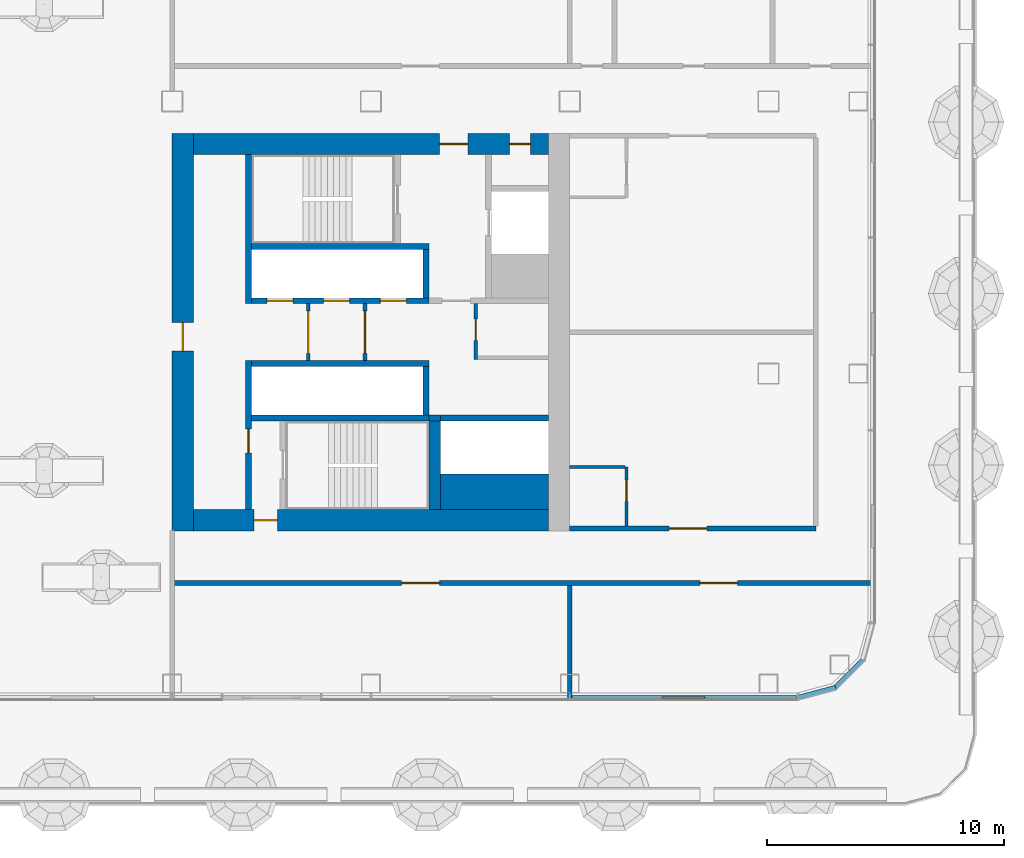
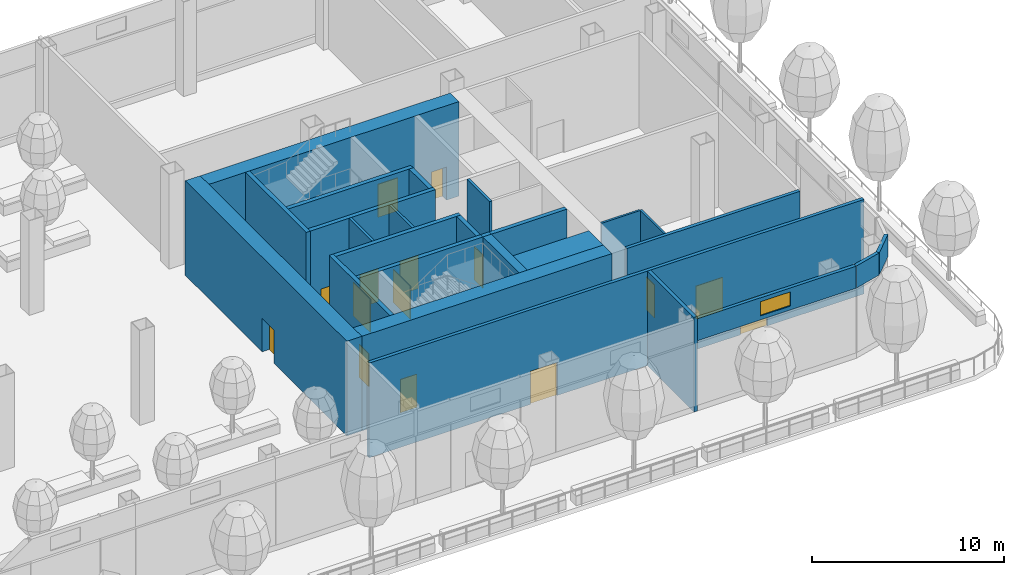
# One storey, part 15 of 44: 26 walls, 15 doors, 1 window, 16 openings, 2 elements without a shape of their own.
"""IFC4 building model written with IfcOpenShell, lengths in metres."""

from ifc_helpers import new_model, si_unit, direction, frame, frame_2d, origin, place, context, subcontext, project, spatial, rectangle, extrude, material, layer, layer_set, type_object, element, fill, aggregate, save


model = new_model("IFC4")

# Units and contexts
model_context = context("Model", 3, precision=1e-05, world=origin(), true_north=direction((0.0, 1.0)))
body_context = subcontext(model_context, "Body", "Model", "MODEL_VIEW")
ifc_project = project(units=[si_unit("LENGTHUNIT", "METRE"), si_unit("AREAUNIT", "SQUARE_METRE"), si_unit("VOLUMEUNIT", "CUBIC_METRE"), si_unit("PLANEANGLEUNIT", "RADIAN"), si_unit("MASSUNIT", "GRAM", prefix="KILO")], contexts=[model_context])

# Site, building, storey
site_placement = place(None, origin())
site = spatial("IfcSite", under=ifc_project, at=site_placement, CompositionType="ELEMENT")
building_placement = place(site_placement, origin())
building = spatial("IfcBuilding", under=site, at=building_placement, Name="Hakoniwa Tower and Hamabe Station Hall", CompositionType="ELEMENT")
storey_placement = place(building_placement, frame((0.0, 0.0, 69.0)))
storey = spatial("IfcBuildingStorey", under=building, at=storey_placement, Name="L19", CompositionType="ELEMENT", Elevation=69.0)

# Wall, opening, door
ifc_material_1 = material(Name="Gypsum board partition")
ifc_layer_1 = layer(ifc_material_1, 0.14990234375)
ifc_layer_set_1 = layer_set([ifc_layer_1], Name="CORE PARTITION 150 EI 60")
wall_type_1 = type_object("IfcWallType", Name="CORE PARTITION 150 EI 60", PredefinedType="PARTITIONING", material=ifc_layer_set_1)
wall_1_placement = place(storey_placement, frame((22.550048828125, -1.199951171875, 0.0), z_axis=(0.0, 0.0, 1.0), x_axis=(0.0, 1.0, 0.0)))
wall_1 = element("IfcWall", 1, at=wall_1_placement, inside=storey, type_object=wall_type_1, Name="Core partition PL0 east", PredefinedType="PARTITIONING", context=body_context, shape_type="SweptSolid", body=[
    extrude(rectangle(XDim=2.39990234375, YDim=0.14990234375, at=frame_2d((1.199951171875, 0.0))), origin(), (0.0, 0.0, 1.0), 6.0),
])
opening_1_placement = place(wall_1_placement, frame((0.300048828125, 0.0, 0.0)))
opening_1 = element("IfcOpeningElement", 2, at=opening_1_placement, cuts=wall_1, Name="Opening CD-E-LP0-18", PredefinedType="OPENING", context=body_context, shape_type="SweptSolid", body=[
    extrude(rectangle(XDim=1.800048828125, YDim=2.10009765625, at=frame_2d((0.89990234375, 1.050048828125))), frame((0.0, 0.0849609375, 0.0), z_axis=(0.0, -1.0, 0.0), x_axis=(1.0, 0.0, 0.0)), (0.0, 0.0, 1.0), 0.169921875),
])
ifc_material_2 = material(Name="Steel fire door", Category="steel")
door_type_1 = type_object("IfcDoorType", Name="CORE DOOR 1800 FD60", OperationType="DOUBLE_DOOR_SINGLE_SWING", PredefinedType="DOOR", material=ifc_material_2)
door_1_placement = place(opening_1_placement, origin())
door_1 = element("IfcDoor", 3, at=door_1_placement, inside=storey, type_object=door_type_1, Name="Lift lobby partition door", OperationType="DOUBLE_DOOR_SINGLE_SWING", OverallHeight=2.10009765625, OverallWidth=1.800048828125, PredefinedType="DOOR", context=body_context, shape_type="SweptSolid", body=[
    extrude(rectangle(XDim=1.800048828125, YDim=2.10009765625, at=frame_2d((0.89990234375, 1.050048828125))), frame((0.0, 0.02490234375, 0.0), z_axis=(0.0, -1.0, 0.0), x_axis=(1.0, 0.0, 0.0)), (0.0, 0.0, 1.0), 0.050048828125),
])
fill(opening_1, door_1)

wall_2_placement = place(storey_placement, frame((24.949951171875, -1.199951171875, 0.0), z_axis=(0.0, 0.0, 1.0), x_axis=(0.0, 1.0, 0.0)))
wall_2 = element("IfcWall", 4, at=wall_2_placement, inside=storey, type_object=wall_type_1, Name="Core partition PL1 east", PredefinedType="PARTITIONING", context=body_context, shape_type="SweptSolid", body=[
    extrude(rectangle(XDim=2.39990234375, YDim=0.14990234375, at=frame_2d((1.199951171875, 0.0))), origin(), (0.0, 0.0, 1.0), 6.0),
])
opening_2_placement = place(wall_2_placement, frame((0.300048828125, 0.0, 0.0)))
opening_2 = element("IfcOpeningElement", 5, at=opening_2_placement, cuts=wall_2, Name="Opening CD-E-LP1-18", PredefinedType="OPENING", context=body_context, shape_type="SweptSolid", body=[
    extrude(rectangle(XDim=1.800048828125, YDim=2.10009765625, at=frame_2d((0.89990234375, 1.050048828125))), frame((0.0, 0.0849609375, 0.0), z_axis=(0.0, -1.0, 0.0), x_axis=(1.0, 0.0, 0.0)), (0.0, 0.0, 1.0), 0.169921875),
])
door_2_placement = place(opening_2_placement, origin())
door_2 = element("IfcDoor", 6, at=door_2_placement, inside=storey, type_object=door_type_1, Name="Lift lobby partition door", OperationType="DOUBLE_DOOR_SINGLE_SWING", OverallHeight=2.10009765625, OverallWidth=1.800048828125, PredefinedType="DOOR", context=body_context, shape_type="SweptSolid", body=[
    extrude(rectangle(XDim=1.800048828125, YDim=2.10009765625, at=frame_2d((0.89990234375, 1.050048828125))), frame((0.0, 0.02490234375, 0.0), z_axis=(0.0, -1.0, 0.0), x_axis=(1.0, 0.0, 0.0)), (0.0, 0.0, 1.0), 0.050048828125),
])
fill(opening_2, door_2)

wall_3_placement = place(storey_placement, frame((29.625, -1.14990234375, 0.0), z_axis=(0.0, 0.0, 1.0), x_axis=(0.0, 1.0, 0.0)))
wall_3 = element("IfcWall", 7, at=wall_3_placement, inside=storey, type_object=wall_type_1, Name="Core partition PW0 east", PredefinedType="PARTITIONING", context=body_context, shape_type="SweptSolid", body=[
    extrude(rectangle(XDim=2.349853515625, YDim=0.14990234375, at=frame_2d((1.1748046875, 0.0))), origin(), (0.0, 0.0, 1.0), 6.0),
])
opening_3_placement = place(wall_3_placement, frame((0.800048828125, 0.0, 0.0)))
opening_3 = element("IfcOpeningElement", 8, at=opening_3_placement, cuts=wall_3, Name="Opening CD-E-RM1-9", PredefinedType="OPENING", context=body_context, shape_type="SweptSolid", body=[
    extrude(rectangle(XDim=0.89990234375, YDim=2.10009765625, at=frame_2d((0.449951171875, 1.050048828125))), frame((0.0, 0.0849609375, 0.0), z_axis=(0.0, -1.0, 0.0), x_axis=(1.0, 0.0, 0.0)), (0.0, 0.0, 1.0), 0.169921875),
])
ifc_material_3 = material(Name="Steel fire door", Category="steel")
door_type_2 = type_object("IfcDoorType", Name="CORE DOOR 900 FD30", OperationType="NOTDEFINED", PredefinedType="DOOR", material=ifc_material_3)
door_3_placement = place(opening_3_placement, origin())
door_3 = element("IfcDoor", 9, at=door_3_placement, inside=storey, type_object=door_type_2, Name="Store room door", OperationType="SINGLE_SWING_RIGHT", OverallHeight=2.10009765625, OverallWidth=0.89990234375, PredefinedType="DOOR", context=body_context, shape_type="SweptSolid", body=[
    extrude(rectangle(XDim=0.89990234375, YDim=2.10009765625, at=frame_2d((0.449951171875, 1.050048828125))), frame((0.0, 0.02490234375, 0.0), z_axis=(0.0, -1.0, 0.0), x_axis=(1.0, 0.0, 0.0)), (0.0, 0.0, 1.0), 0.050048828125),
])
fill(opening_3, door_3)

ifc_material_4 = material(Name="Concrete C72", Category="concrete")
ifc_layer_2 = layer(ifc_material_4, 0.89990234375)
ifc_layer_set_2 = layer_set([ifc_layer_2], Name="CORE WALL 900 C72")
wall_type_2 = type_object("IfcWallType", Name="CORE WALL 900 C72", PredefinedType="SHEAR", material=ifc_layer_set_2)
wall_4_placement = place(storey_placement, frame((17.25, -8.39990234375, 0.0), z_axis=(0.0, 0.0, 1.0), x_axis=(0.0, 1.0, 0.0)))
wall_4 = element("IfcWall", 10, at=wall_4_placement, inside=storey, type_object=wall_type_2, Name="Core wall INNER east", PredefinedType="SHEAR", context=body_context, shape_type="SweptSolid", body=[
    extrude(rectangle(XDim=16.7998046875, YDim=0.89990234375, at=frame_2d((8.39990234375, 0.0))), origin(), (0.0, 0.0, 1.0), 6.0),
])
opening_4_placement = place(wall_4_placement, frame((7.60009765625, 0.0, 0.0)))
opening_4 = element("IfcOpeningElement", 11, at=opening_4_placement, cuts=wall_4, Name="Opening CD-E-IN1-12", PredefinedType="OPENING", context=body_context, shape_type="SweptSolid", body=[
    extrude(rectangle(XDim=1.199951171875, YDim=2.10009765625, at=frame_2d((0.60009765625, 1.050048828125))), frame((0.0, 0.4599609375, 0.0), z_axis=(0.0, -1.0, 0.0), x_axis=(1.0, 0.0, 0.0)), (0.0, 0.0, 1.0), 0.919921875),
])
ifc_material_5 = material(Name="Steel fire door", Category="steel")
door_type_3 = type_object("IfcDoorType", Name="CORE DOOR 1200 FD60", OperationType="DOUBLE_DOOR_SINGLE_SWING", PredefinedType="DOOR", material=ifc_material_5)
door_4_placement = place(opening_4_placement, origin())
door_4 = element("IfcDoor", 12, at=door_4_placement, inside=storey, type_object=door_type_3, Name="Lift lobby door", OperationType="DOUBLE_DOOR_SINGLE_SWING", OverallHeight=2.10009765625, OverallWidth=1.199951171875, PredefinedType="DOOR", context=body_context, shape_type="SweptSolid", body=[
    extrude(rectangle(XDim=1.199951171875, YDim=2.10009765625, at=frame_2d((0.60009765625, 1.050048828125))), frame((0.0, 0.02490234375, 0.0), z_axis=(0.0, -1.0, 0.0), x_axis=(1.0, 0.0, 0.0)), (0.0, 0.0, 1.0), 0.050048828125),
])
fill(opening_4, door_4)

# Wall, openings, doors
wall_5_placement = place(storey_placement, frame((17.699951171875, 7.949951171875, 0.0), z_axis=(0.0, 0.0, 1.0), x_axis=(1.0, 0.0, 0.0)))
wall_5 = element("IfcWall", 13, at=wall_5_placement, inside=storey, type_object=wall_type_2, Name="Core wall NORTH east", PredefinedType="SHEAR", context=body_context, shape_type="SweptSolid", body=[
    extrude(rectangle(XDim=15.0, YDim=0.89990234375, at=frame_2d((7.5, 0.0))), origin(), (0.0, 0.0, 1.0), 6.0),
])
opening_5_placement = place(wall_5_placement, frame((10.39990234375, 0.0, 0.0)))
opening_5 = element("IfcOpeningElement", 14, at=opening_5_placement, cuts=wall_5, Name="Opening CD-E-FN1-12", PredefinedType="OPENING", context=body_context, shape_type="SweptSolid", body=[
    extrude(rectangle(XDim=1.199951171875, YDim=2.10009765625, at=frame_2d((0.60009765625, 1.050048828125))), frame((0.0, 0.4599609375, 0.0), z_axis=(0.0, -1.0, 0.0), x_axis=(1.0, 0.0, 0.0)), (0.0, 0.0, 1.0), 0.919921875),
])
opening_6_placement = place(wall_5_placement, frame((13.35009765625, 0.0, 0.0)))
opening_6 = element("IfcOpeningElement", 15, at=opening_6_placement, cuts=wall_5, Name="Opening CD-E-FN2-9", PredefinedType="OPENING", context=body_context, shape_type="SweptSolid", body=[
    extrude(rectangle(XDim=0.89990234375, YDim=2.10009765625, at=frame_2d((0.449951171875, 1.050048828125))), frame((0.0, 0.4599609375, 0.0), z_axis=(0.0, -1.0, 0.0), x_axis=(1.0, 0.0, 0.0)), (0.0, 0.0, 1.0), 0.919921875),
])
door_5_placement = place(opening_5_placement, origin())
door_5 = element("IfcDoor", 16, at=door_5_placement, inside=storey, type_object=door_type_3, Name="Stair vestibule door to the fire-fighting lobby", OperationType="DOUBLE_DOOR_SINGLE_SWING", OverallHeight=2.10009765625, OverallWidth=1.199951171875, PredefinedType="DOOR", context=body_context, shape_type="SweptSolid", body=[
    extrude(rectangle(XDim=1.199951171875, YDim=2.10009765625, at=frame_2d((0.60009765625, 1.050048828125))), frame((0.0, 0.02490234375, 0.0), z_axis=(0.0, -1.0, 0.0), x_axis=(1.0, 0.0, 0.0)), (0.0, 0.0, 1.0), 0.050048828125),
])
fill(opening_5, door_5)
door_6_placement = place(opening_6_placement, origin())
door_6 = element("IfcDoor", 17, at=door_6_placement, inside=storey, type_object=door_type_2, Name="Riser access door", OperationType="SINGLE_SWING_RIGHT", OverallHeight=2.10009765625, OverallWidth=0.89990234375, PredefinedType="DOOR", context=body_context, shape_type="SweptSolid", body=[
    extrude(rectangle(XDim=0.89990234375, YDim=2.10009765625, at=frame_2d((0.449951171875, 1.050048828125))), frame((0.0, 0.02490234375, 0.0), z_axis=(0.0, -1.0, 0.0), x_axis=(1.0, 0.0, 0.0)), (0.0, 0.0, 1.0), 0.050048828125),
])
fill(opening_6, door_6)

# Wall, opening, door
wall_6_placement = place(storey_placement, frame((17.699951171875, -7.949951171875, 0.0), z_axis=(0.0, 0.0, 1.0), x_axis=(1.0, 0.0, 0.0)))
wall_6 = element("IfcWall", 18, at=wall_6_placement, inside=storey, type_object=wall_type_2, Name="Core wall SOUTH east", PredefinedType="SHEAR", context=body_context, shape_type="SweptSolid", body=[
    extrude(rectangle(XDim=15.0, YDim=0.89990234375, at=frame_2d((7.5, 0.0))), origin(), (0.0, 0.0, 1.0), 6.0),
])
opening_7_placement = place(wall_6_placement, frame((2.550048828125, 0.0, 0.0)))
opening_7 = element("IfcOpeningElement", 19, at=opening_7_placement, cuts=wall_6, Name="Opening CD-E-FS3-10", PredefinedType="OPENING", context=body_context, shape_type="SweptSolid", body=[
    extrude(rectangle(XDim=1.0, YDim=2.10009765625, at=frame_2d((0.5, 1.050048828125))), frame((0.0, 0.4599609375, 0.0), z_axis=(0.0, -1.0, 0.0), x_axis=(1.0, 0.0, 0.0)), (0.0, 0.0, 1.0), 0.919921875),
])
ifc_material_6 = material(Name="Steel fire door", Category="steel")
door_type_4 = type_object("IfcDoorType", Name="CORE DOOR 1000 FD60", OperationType="NOTDEFINED", PredefinedType="DOOR", material=ifc_material_6)
door_7_placement = place(opening_7_placement, origin())
door_7 = element("IfcDoor", 20, at=door_7_placement, inside=storey, type_object=door_type_4, Name="Stair vestibule door", OperationType="SINGLE_SWING_LEFT", OverallHeight=2.10009765625, OverallWidth=1.0, PredefinedType="DOOR", context=body_context, shape_type="SweptSolid", body=[
    extrude(rectangle(XDim=1.0, YDim=2.10009765625, at=frame_2d((0.5, 1.050048828125))), frame((0.0, 0.02490234375, 0.0), z_axis=(0.0, -1.0, 0.0), x_axis=(1.0, 0.0, 0.0)), (0.0, 0.0, 1.0), 0.050048828125),
])
fill(opening_7, door_7)

# Walls
ifc_material_7 = material(Name="Concrete C72", Category="concrete")
ifc_layer_3 = layer(ifc_material_7, 1.5)
ifc_layer_set_3 = layer_set([ifc_layer_3], Name="CORE WEB WALL 1500 C72")
wall_type_3 = type_object("IfcWallType", Name="CORE WEB WALL 1500 C72", PredefinedType="SHEAR", material=ifc_layer_set_3)
wall_7_placement = place(storey_placement, frame((28.14990234375, -6.75, 0.0), z_axis=(0.0, 0.0, 1.0), x_axis=(1.0, 0.0, 0.0)))
element("IfcWall", 21, at=wall_7_placement, inside=storey, type_object=wall_type_3, Name="Core wall SER east", PredefinedType="SHEAR", context=body_context, shape_type="SweptSolid", body=[
    extrude(rectangle(XDim=4.550048828125, YDim=1.5, at=frame_2d((2.27490234375, 0.0))), origin(), (0.0, 0.0, 1.0), 6.0),
])
ifc_material_8 = material(Name="Concrete C72", Category="concrete")
ifc_layer_4 = layer(ifc_material_8, 0.25)
ifc_layer_set_4 = layer_set([ifc_layer_4], Name="CORE WEB WALL 250 C72")
wall_type_4 = type_object("IfcWallType", Name="CORE WEB WALL 250 C72", PredefinedType="SHEAR", material=ifc_layer_set_4)
wall_8_placement = place(storey_placement, frame((20.02490234375, 1.199951171875, 0.0), z_axis=(0.0, 0.0, 1.0), x_axis=(0.0, 1.0, 0.0)))
element("IfcWall", 22, at=wall_8_placement, inside=storey, type_object=wall_type_4, Name="Core wall W1N east", PredefinedType="SHEAR", context=body_context, shape_type="SweptSolid", body=[
    extrude(rectangle(XDim=6.300048828125, YDim=0.25, at=frame_2d((3.14990234375, 0.0))), origin(), (0.0, 0.0, 1.0), 6.0),
])

# Wall, opening, door
wall_9_placement = place(storey_placement, frame((20.02490234375, -7.5, 0.0), z_axis=(0.0, 0.0, 1.0), x_axis=(0.0, 1.0, 0.0)))
wall_9 = element("IfcWall", 23, at=wall_9_placement, inside=storey, type_object=wall_type_4, Name="Core wall W1S east", PredefinedType="SHEAR", context=body_context, shape_type="SweptSolid", body=[
    extrude(rectangle(XDim=6.300048828125, YDim=0.25, at=frame_2d((3.14990234375, 0.0))), origin(), (0.0, 0.0, 1.0), 6.0),
])
opening_8_placement = place(wall_9_placement, frame((2.39990234375, 0.0, 0.0)))
opening_8 = element("IfcOpeningElement", 24, at=opening_8_placement, cuts=wall_9, Name="Opening CD-E-VS-10", PredefinedType="OPENING", context=body_context, shape_type="SweptSolid", body=[
    extrude(rectangle(XDim=1.0, YDim=2.10009765625, at=frame_2d((0.5, 1.050048828125))), frame((0.0, 0.135009765625, 0.0), z_axis=(0.0, -1.0, 0.0), x_axis=(1.0, 0.0, 0.0)), (0.0, 0.0, 1.0), 0.27001953125),
])
door_8_placement = place(opening_8_placement, origin())
door_8 = element("IfcDoor", 25, at=door_8_placement, inside=storey, type_object=door_type_4, Name="Stair vestibule door", OperationType="SINGLE_SWING_RIGHT", OverallHeight=2.10009765625, OverallWidth=1.0, PredefinedType="DOOR", context=body_context, shape_type="SweptSolid", body=[
    extrude(rectangle(XDim=1.0, YDim=2.10009765625, at=frame_2d((0.5, 1.050048828125))), frame((0.0, 0.02490234375, 0.0), z_axis=(0.0, -1.0, 0.0), x_axis=(1.0, 0.0, 0.0)), (0.0, 0.0, 1.0), 0.050048828125),
])
fill(opening_8, door_8)

# Wall, openings, doors
wall_10_placement = place(storey_placement, frame((20.14990234375, 1.324951171875, 0.0), z_axis=(0.0, 0.0, 1.0), x_axis=(1.0, 0.0, 0.0)))
wall_10 = element("IfcWall", 26, at=wall_10_placement, inside=storey, type_object=wall_type_4, Name="Core wall NF east", PredefinedType="SHEAR", context=body_context, shape_type="SweptSolid", body=[
    extrude(rectangle(XDim=7.5, YDim=0.25, at=frame_2d((3.75, 0.0))), origin(), (0.0, 0.0, 1.0), 6.0),
])
opening_9_placement = place(wall_10_placement, frame((0.64990234375, 0.0, 0.0)))
opening_9 = element("IfcOpeningElement", 27, at=opening_9_placement, cuts=wall_10, Name="Opening LD-LR4", PredefinedType="OPENING", context=body_context, shape_type="SweptSolid", body=[
    extrude(rectangle(XDim=1.10009765625, YDim=2.10009765625, at=frame_2d((0.550048828125, 1.050048828125))), frame((0.0, 0.135009765625, 0.0), z_axis=(0.0, -1.0, 0.0), x_axis=(1.0, 0.0, 0.0)), (0.0, 0.0, 1.0), 0.27001953125),
])
opening_10_placement = place(wall_10_placement, frame((3.050048828125, 0.0, 0.0)))
opening_10 = element("IfcOpeningElement", 28, at=opening_10_placement, cuts=wall_10, Name="Opening LD-LR5", PredefinedType="OPENING", context=body_context, shape_type="SweptSolid", body=[
    extrude(rectangle(XDim=1.10009765625, YDim=2.10009765625, at=frame_2d((0.550048828125, 1.050048828125))), frame((0.0, 0.135009765625, 0.0), z_axis=(0.0, -1.0, 0.0), x_axis=(1.0, 0.0, 0.0)), (0.0, 0.0, 1.0), 0.27001953125),
])
opening_11_placement = place(wall_10_placement, frame((5.449951171875, 0.0, 0.0)))
opening_11 = element("IfcOpeningElement", 29, at=opening_11_placement, cuts=wall_10, Name="Opening LD-LR6", PredefinedType="OPENING", context=body_context, shape_type="SweptSolid", body=[
    extrude(rectangle(XDim=1.10009765625, YDim=2.10009765625, at=frame_2d((0.550048828125, 1.050048828125))), frame((0.0, 0.135009765625, 0.0), z_axis=(0.0, -1.0, 0.0), x_axis=(1.0, 0.0, 0.0)), (0.0, 0.0, 1.0), 0.27001953125),
])
ifc_material_9 = material(Name="Stainless steel SUS304", Category="steel")
door_type_5 = type_object("IfcDoorType", Name="LIFT LANDING DOOR 1100 FD60", OperationType="DOUBLE_DOOR_SLIDING", PredefinedType="DOOR", material=ifc_material_9)
door_9_placement = place(opening_9_placement, origin())
door_9 = element("IfcDoor", 30, at=door_9_placement, inside=storey, type_object=door_type_5, Name="Lift landing door LR4 L19", OperationType="DOUBLE_DOOR_SLIDING", OverallHeight=2.10009765625, OverallWidth=1.10009765625, PredefinedType="DOOR", context=body_context, shape_type="SweptSolid", body=[
    extrude(rectangle(XDim=1.10009765625, YDim=2.10009765625, at=frame_2d((0.550048828125, 1.050048828125))), frame((0.0, 0.02490234375, 0.0), z_axis=(0.0, -1.0, 0.0), x_axis=(1.0, 0.0, 0.0)), (0.0, 0.0, 1.0), 0.050048828125),
])
fill(opening_9, door_9)
door_10_placement = place(opening_10_placement, origin())
door_10 = element("IfcDoor", 31, at=door_10_placement, inside=storey, type_object=door_type_5, Name="Lift landing door LR5 L19", OperationType="DOUBLE_DOOR_SLIDING", OverallHeight=2.10009765625, OverallWidth=1.10009765625, PredefinedType="DOOR", context=body_context, shape_type="SweptSolid", body=[
    extrude(rectangle(XDim=1.10009765625, YDim=2.10009765625, at=frame_2d((0.550048828125, 1.050048828125))), frame((0.0, 0.02490234375, 0.0), z_axis=(0.0, -1.0, 0.0), x_axis=(1.0, 0.0, 0.0)), (0.0, 0.0, 1.0), 0.050048828125),
])
fill(opening_10, door_10)
door_11_placement = place(opening_11_placement, origin())
door_11 = element("IfcDoor", 32, at=door_11_placement, inside=storey, type_object=door_type_5, Name="Lift landing door LR6 L19", OperationType="DOUBLE_DOOR_SLIDING", OverallHeight=2.10009765625, OverallWidth=1.10009765625, PredefinedType="DOOR", context=body_context, shape_type="SweptSolid", body=[
    extrude(rectangle(XDim=1.10009765625, YDim=2.10009765625, at=frame_2d((0.550048828125, 1.050048828125))), frame((0.0, 0.02490234375, 0.0), z_axis=(0.0, -1.0, 0.0), x_axis=(1.0, 0.0, 0.0)), (0.0, 0.0, 1.0), 0.050048828125),
])
fill(opening_11, door_11)

# Walls
wall_11_placement = place(storey_placement, frame((27.52490234375, 1.449951171875, 0.0), z_axis=(0.0, 0.0, 1.0), x_axis=(0.0, 1.0, 0.0)))
element("IfcWall", 33, at=wall_11_placement, inside=storey, type_object=wall_type_4, Name="Core wall NE east", PredefinedType="SHEAR", context=body_context, shape_type="SweptSolid", body=[
    extrude(rectangle(XDim=2.050048828125, YDim=0.25, at=frame_2d((1.02490234375, 0.0))), origin(), (0.0, 0.0, 1.0), 6.0),
])
for number, where, z_axis, x_axis, name in (
    (34, (20.14990234375, 3.625, 0.0), (0.0, 0.0, 1.0), (1.0, 0.0, 0.0), "Core wall NR east"),
    (35, (20.14990234375, -1.324951171875, 0.0), (0.0, 0.0, 1.0), (1.0, 0.0, 0.0), "Core wall SF east"),
):
    element("IfcWall", number, at=place(storey_placement, frame(where, z_axis=z_axis, x_axis=x_axis)), inside=storey, type_object=wall_type_4, Name=name, PredefinedType="SHEAR", context=body_context, shape_type="SweptSolid", body=[
        extrude(rectangle(XDim=7.5, YDim=0.25, at=frame_2d((3.75, 0.0))), origin(), (0.0, 0.0, 1.0), 6.0),
    ])
wall_12_placement = place(storey_placement, frame((27.52490234375, -3.5, 0.0), z_axis=(0.0, 0.0, 1.0), x_axis=(0.0, 1.0, 0.0)))
element("IfcWall", 36, at=wall_12_placement, inside=storey, type_object=wall_type_4, Name="Core wall SE east", PredefinedType="SHEAR", context=body_context, shape_type="SweptSolid", body=[
    extrude(rectangle(XDim=2.050048828125, YDim=0.25, at=frame_2d((1.02490234375, 0.0))), origin(), (0.0, 0.0, 1.0), 6.0),
])
wall_13_placement = place(storey_placement, frame((20.14990234375, -3.625, 0.0), z_axis=(0.0, 0.0, 1.0), x_axis=(1.0, 0.0, 0.0)))
element("IfcWall", 37, at=wall_13_placement, inside=storey, type_object=wall_type_4, Name="Core wall SR east", PredefinedType="SHEAR", context=body_context, shape_type="SweptSolid", body=[
    extrude(rectangle(XDim=7.5, YDim=0.25, at=frame_2d((3.75, 0.0))), origin(), (0.0, 0.0, 1.0), 6.0),
])
wall_14_placement = place(storey_placement, frame((28.14990234375, -3.625, 0.0), z_axis=(0.0, 0.0, 1.0), x_axis=(1.0, 0.0, 0.0)))
element("IfcWall", 38, at=wall_14_placement, inside=storey, type_object=wall_type_4, Name="Core wall SEF east", PredefinedType="SHEAR", context=body_context, shape_type="SweptSolid", body=[
    extrude(rectangle(XDim=4.550048828125, YDim=0.25, at=frame_2d((2.27490234375, 0.0))), origin(), (0.0, 0.0, 1.0), 6.0),
])
wall_15_placement = place(storey_placement, frame((27.64990234375, -3.625, 0.0), z_axis=(0.0, 0.0, 1.0), x_axis=(1.0, 0.0, 0.0)))
element("IfcWall", 39, at=wall_15_placement, inside=storey, type_object=wall_type_4, Name="Core wall SRK east", PredefinedType="SHEAR", context=body_context, shape_type="SweptSolid", body=[
    extrude(rectangle(XDim=0.5, YDim=0.25, at=frame_2d((0.25, 0.0))), origin(), (0.0, 0.0, 1.0), 6.0),
])
ifc_material_10 = material(Name="Concrete C72", Category="concrete")
ifc_layer_5 = layer(ifc_material_10, 0.5)
ifc_layer_set_5 = layer_set([ifc_layer_5], Name="CORE WEB WALL 500 C72")
wall_type_5 = type_object("IfcWallType", Name="CORE WEB WALL 500 C72", PredefinedType="SHEAR", material=ifc_layer_set_5)
wall_16_placement = place(storey_placement, frame((27.89990234375, -7.5, 0.0), z_axis=(0.0, 0.0, 1.0), x_axis=(0.0, 1.0, 0.0)))
element("IfcWall", 40, at=wall_16_placement, inside=storey, type_object=wall_type_5, Name="Core wall SSE east", PredefinedType="SHEAR", context=body_context, shape_type="SweptSolid", body=[
    extrude(rectangle(XDim=3.75, YDim=0.5, at=frame_2d((1.875, 0.0))), origin(), (0.0, 0.0, 1.0), 6.0),
])

# Wall, openings, doors
ifc_material_11 = material(Name="Fire-rated gypsum board partition", Category="gypsum")
ifc_layer_6 = layer(ifc_material_11, 0.199951171875)
ifc_layer_set_6 = layer_set([ifc_layer_6], Name="Corridor Wall 200")
wall_type_6 = type_object("IfcWallType", Name="Corridor Wall 200", PredefinedType="PARTITIONING", material=ifc_layer_set_6)
wall_17_placement = place(storey_placement, frame((16.800048828125, -10.60009765625, 0.0), z_axis=(0.0, 0.0, 1.0), x_axis=(1.0, 0.0, 0.0)))
wall_17 = element("IfcWall", 41, at=wall_17_placement, inside=storey, type_object=wall_type_6, Name="GW-L19-002", PredefinedType="PARTITIONING", context=body_context, shape_type="SweptSolid", body=[
    extrude(rectangle(XDim=29.699951171875, YDim=0.199951171875, at=frame_2d((14.85009765625, 0.0))), origin(), (0.0, 0.0, 1.0), 6.0),
])
opening_12_placement = place(wall_17_placement, frame((9.699951171875, 0.0, 0.0)))
opening_12 = element("IfcOpeningElement", 42, at=opening_12_placement, cuts=wall_17, Name="Opening GD-SL19-03", PredefinedType="OPENING", context=body_context, shape_type="SweptSolid", body=[
    extrude(rectangle(XDim=1.60009765625, YDim=2.10009765625, at=frame_2d((0.800048828125, 1.050048828125))), frame((0.0, 0.10986328125, 0.0), z_axis=(0.0, -1.0, 0.0), x_axis=(1.0, 0.0, 0.0)), (0.0, 0.0, 1.0), 0.219970703125),
])
opening_13_placement = place(wall_17_placement, frame((22.300048828125, 0.0, 0.0)))
opening_13 = element("IfcOpeningElement", 43, at=opening_13_placement, cuts=wall_17, Name="Opening GD-SL19-04", PredefinedType="OPENING", context=body_context, shape_type="SweptSolid", body=[
    extrude(rectangle(XDim=1.60009765625, YDim=2.10009765625, at=frame_2d((0.800048828125, 1.050048828125))), frame((0.0, 0.10986328125, 0.0), z_axis=(0.0, -1.0, 0.0), x_axis=(1.0, 0.0, 0.0)), (0.0, 0.0, 1.0), 0.219970703125),
])
ifc_material_12 = material(Name="Timber door leaf", Category="wood")
door_type_6 = type_object("IfcDoorType", Name="Double Door 1600", OperationType="DOUBLE_DOOR_SINGLE_SWING", PredefinedType="DOOR", material=ifc_material_12)
door_12_placement = place(opening_12_placement, origin())
door_12 = element("IfcDoor", 44, at=door_12_placement, inside=storey, type_object=door_type_6, Name="Door GD-SL19-03", OperationType="DOUBLE_DOOR_SINGLE_SWING", OverallHeight=2.10009765625, OverallWidth=1.60009765625, PredefinedType="DOOR", context=body_context, shape_type="SweptSolid", body=[
    extrude(rectangle(XDim=1.60009765625, YDim=2.10009765625, at=frame_2d((0.800048828125, 1.050048828125))), frame((0.0, 0.02490234375, 0.0), z_axis=(0.0, -1.0, 0.0), x_axis=(1.0, 0.0, 0.0)), (0.0, 0.0, 1.0), 0.050048828125),
])
fill(opening_12, door_12)
door_13_placement = place(opening_13_placement, origin())
door_13 = element("IfcDoor", 45, at=door_13_placement, inside=storey, type_object=door_type_6, Name="Door GD-SL19-04", OperationType="DOUBLE_DOOR_SINGLE_SWING", OverallHeight=2.10009765625, OverallWidth=1.60009765625, PredefinedType="DOOR", context=body_context, shape_type="SweptSolid", body=[
    extrude(rectangle(XDim=1.60009765625, YDim=2.10009765625, at=frame_2d((0.800048828125, 1.050048828125))), frame((0.0, 0.02490234375, 0.0), z_axis=(0.0, -1.0, 0.0), x_axis=(1.0, 0.0, 0.0)), (0.0, 0.0, 1.0), 0.050048828125),
])
fill(opening_13, door_13)

# Wall, opening, door
wall_18_placement = place(storey_placement, frame((33.60009765625, -8.300048828125, 0.0), z_axis=(0.0, 0.0, 1.0), x_axis=(1.0, 0.0, 0.0)))
wall_18 = element("IfcWall", 46, at=wall_18_placement, inside=storey, type_object=wall_type_6, Name="GW-L19-004", PredefinedType="PARTITIONING", context=body_context, shape_type="SweptSolid", body=[
    extrude(rectangle(XDim=10.39990234375, YDim=0.199951171875, at=frame_2d((5.199951171875, 0.0))), origin(), (0.0, 0.0, 1.0), 6.0),
])
opening_14_placement = place(wall_18_placement, frame((4.199951171875, 0.0, 0.0)))
opening_14 = element("IfcOpeningElement", 47, at=opening_14_placement, cuts=wall_18, Name="Opening GD-SL19-06", PredefinedType="OPENING", context=body_context, shape_type="SweptSolid", body=[
    extrude(rectangle(XDim=1.60009765625, YDim=2.10009765625, at=frame_2d((0.800048828125, 1.050048828125))), frame((0.0, 0.10986328125, 0.0), z_axis=(0.0, -1.0, 0.0), x_axis=(1.0, 0.0, 0.0)), (0.0, 0.0, 1.0), 0.219970703125),
])
door_14_placement = place(opening_14_placement, origin())
door_14 = element("IfcDoor", 48, at=door_14_placement, inside=storey, type_object=door_type_6, Name="Door GD-SL19-06", OperationType="DOUBLE_DOOR_SINGLE_SWING", OverallHeight=2.10009765625, OverallWidth=1.60009765625, PredefinedType="DOOR", context=body_context, shape_type="SweptSolid", body=[
    extrude(rectangle(XDim=1.60009765625, YDim=2.10009765625, at=frame_2d((0.800048828125, 1.050048828125))), frame((0.0, 0.02490234375, 0.0), z_axis=(0.0, -1.0, 0.0), x_axis=(1.0, 0.0, 0.0)), (0.0, 0.0, 1.0), 0.050048828125),
])
fill(opening_14, door_14)

# Walls
ifc_material_13 = material(Name="Fire-rated gypsum board partition", Category="gypsum")
ifc_layer_7 = layer(ifc_material_13, 0.199951171875)
ifc_layer_set_7 = layer_set([ifc_layer_7], Name="Party Wall 200")
wall_type_7 = type_object("IfcWallType", Name="Party Wall 200", PredefinedType="PARTITIONING", material=ifc_layer_set_7)
wall_19_placement = place(storey_placement, frame((33.60009765625, -15.550048828125, 0.0), z_axis=(0.0, 0.0, 1.0), x_axis=(0.0, 1.0, 0.0)))
element("IfcWall", 49, at=wall_19_placement, inside=storey, type_object=wall_type_7, Name="GW-L19-022", PredefinedType="PARTITIONING", context=body_context, shape_type="SweptSolid", body=[
    extrude(rectangle(XDim=4.85009765625, YDim=0.199951171875, at=frame_2d((2.425048828125, 0.0))), origin(), (0.0, 0.0, 1.0), 6.0),
])
ifc_material_14 = material(Name="Gypsum board partition", Category="gypsum")
ifc_layer_8 = layer(ifc_material_14, 0.125)
ifc_layer_set_8 = layer_set([ifc_layer_8], Name="Room Partition 125")
wall_type_8 = type_object("IfcWallType", Name="Room Partition 125", PredefinedType="PARTITIONING", material=ifc_layer_set_8)
wall_20_placement = place(storey_placement, frame((33.60009765625, -5.699951171875, 0.0), z_axis=(0.0, 0.0, 1.0), x_axis=(1.0, 0.0, 0.0)))
element("IfcWall", 50, at=wall_20_placement, inside=storey, type_object=wall_type_8, Name="GW-L19-005", PredefinedType="PARTITIONING", context=body_context, shape_type="SweptSolid", body=[
    extrude(rectangle(XDim=2.33740234375, YDim=0.125, at=frame_2d((1.168701171875, 0.0))), origin(), (0.0, 0.0, 1.0), 6.0),
])

# Wall, opening, door
wall_21_placement = place(storey_placement, frame((36.0, -8.199951171875, 0.0), z_axis=(0.0, 0.0, 1.0), x_axis=(0.0, 1.0, 0.0)))
wall_21 = element("IfcWall", 51, at=wall_21_placement, inside=storey, type_object=wall_type_8, Name="GW-L19-025", PredefinedType="PARTITIONING", context=body_context, shape_type="SweptSolid", body=[
    extrude(rectangle(XDim=2.5, YDim=0.125, at=frame_2d((1.25, 0.0))), origin(), (0.0, 0.0, 1.0), 6.0),
])
opening_15_placement = place(wall_21_placement, frame((1.050048828125, 0.0, 0.0)))
opening_15 = element("IfcOpeningElement", 52, at=opening_15_placement, cuts=wall_21, Name="Opening GD-SL19-17", PredefinedType="OPENING", context=body_context, shape_type="SweptSolid", body=[
    extrude(rectangle(XDim=0.89990234375, YDim=2.10009765625, at=frame_2d((0.449951171875, 1.050048828125))), frame((0.0, 0.072509765625, 0.0), z_axis=(0.0, -1.0, 0.0), x_axis=(1.0, 0.0, 0.0)), (0.0, 0.0, 1.0), 0.14501953125),
])
ifc_material_15 = material(Name="Timber door leaf", Category="wood")
door_type_7 = type_object("IfcDoorType", Name="Suite Interior Door 900", OperationType="SINGLE_SWING_LEFT", PredefinedType="DOOR", material=ifc_material_15)
door_15_placement = place(opening_15_placement, origin())
door_15 = element("IfcDoor", 53, at=door_15_placement, inside=storey, type_object=door_type_7, Name="Door GD-SL19-17", OperationType="SINGLE_SWING_LEFT", OverallHeight=2.10009765625, OverallWidth=0.89990234375, PredefinedType="DOOR", context=body_context, shape_type="SweptSolid", body=[
    extrude(rectangle(XDim=0.89990234375, YDim=2.10009765625, at=frame_2d((0.449951171875, 1.050048828125))), frame((0.0, 0.02490234375, 0.0), z_axis=(0.0, -1.0, 0.0), x_axis=(1.0, 0.0, 0.0)), (0.0, 0.0, 1.0), 0.050048828125),
])
fill(opening_15, door_15)

# Curtain wall, wall, opening, window
ifc_material_16 = material(Name="Dark low-e laminated glass", Category="glass")
ifc_layer_9 = layer(ifc_material_16, 0.199951171875)
ifc_layer_set_9 = layer_set([ifc_layer_9], Name="CW-2 SKY GARDEN")
curtain_wall_type = type_object("IfcCurtainWallType", Name="CW-2 SKY GARDEN", PredefinedType="NOTDEFINED", material=ifc_layer_set_9)
curtain_wall_1_placement = place(storey_placement, origin())
curtain_wall_1 = element("IfcCurtainWall", 54, at=curtain_wall_1_placement, inside=storey, type_object=curtain_wall_type, Name="CW-2 curtain wall", PredefinedType="NOTDEFINED")
ifc_material_17 = material(Name="Dark glass-faced aluminium panel", Category="aluminium")
ifc_layer_10 = layer(ifc_material_17, 0.199951171875)
ifc_layer_set_10 = layer_set([ifc_layer_10], Name="VENT BAND WALL")
wall_type_9 = type_object("IfcWallType", Name="VENT BAND WALL", PredefinedType="NOTDEFINED", material=ifc_layer_set_10)
wall_22_placement = place(storey_placement, frame((33.60009765625, -15.449951171875, 4.449951171875), z_axis=(0.0, 0.0, 1.0), x_axis=(1.0, 0.0, 0.0)))
wall_22 = element("IfcWall", 55, at=wall_22_placement, type_object=wall_type_9, Name="Vent band wall", PredefinedType="NOTDEFINED", context=body_context, shape_type="SweptSolid", body=[
    extrude(rectangle(XDim=9.609375, YDim=0.199951171875, at=frame_2d((4.8046875, 0.0))), origin(), (0.0, 0.0, 1.0), 1.400146484375),
])
opening_16_placement = place(wall_22_placement, frame((3.90478515625, 0.0, 0.25)))
opening_16 = element("IfcOpeningElement", 56, at=opening_16_placement, cuts=wall_22, Name="Opening VW-1", PredefinedType="OPENING", context=body_context, shape_type="SweptSolid", body=[
    extrude(rectangle(XDim=1.800048828125, YDim=0.89990234375, at=frame_2d((0.89990234375, 0.449951171875))), frame((0.0, 0.10986328125, 0.0), z_axis=(0.0, -1.0, 0.0), x_axis=(1.0, 0.0, 0.0)), (0.0, 0.0, 1.0), 0.219970703125),
])
ifc_material_18 = material(Name="Dark low-e laminated glass", Category="glass")
window_type = type_object("IfcWindowType", Name="VENT WINDOW 1800X900", PartitioningType="SINGLE_PANEL", PredefinedType="WINDOW", material=ifc_material_18)
window_placement = place(opening_16_placement, origin())
window = element("IfcWindow", 57, at=window_placement, inside=storey, type_object=window_type, Name="Vent window", OverallHeight=0.89990234375, OverallWidth=1.800048828125, PartitioningType="SINGLE_PANEL", PredefinedType="WINDOW", context=body_context, shape_type="SweptSolid", body=[
    extrude(rectangle(XDim=1.800048828125, YDim=0.89990234375, at=frame_2d((0.89990234375, 0.449951171875))), frame((0.0, 0.030029296875, 0.0), z_axis=(0.0, -1.0, 0.0), x_axis=(1.0, 0.0, 0.0)), (0.0, 0.0, 1.0), 0.06005859375),
])
fill(opening_16, window)
aggregate(curtain_wall_1, [wall_22])

# Curtain wall, walls
curtain_wall_2_placement = place(storey_placement, origin())
curtain_wall_2 = element("IfcCurtainWall", 58, at=curtain_wall_2_placement, inside=storey, type_object=curtain_wall_type, Name="CW-2 curtain wall", PredefinedType="NOTDEFINED")
wall_23_placement = place(storey_placement, frame((43.24267578125, -15.445556640625, 4.449951171875), z_axis=(0.0, 0.0, 1.0), x_axis=(0.965940754539, 0.258763325689, 0.0)))
wall_23 = element("IfcWall", 59, at=wall_23_placement, type_object=wall_type_9, Name="Vent band wall", PredefinedType="NOTDEFINED", context=body_context, shape_type="SweptSolid", body=[
    extrude(rectangle(XDim=1.642578125, YDim=0.199951171875, at=frame_2d((0.8212890625, 0.0))), origin(), (0.0, 0.0, 1.0), 1.400146484375),
])
wall_24_placement = place(storey_placement, frame((44.829345703125, -15.0205078125, 4.449951171875), z_axis=(0.0, 0.0, 1.0), x_axis=(0.707106781187, 0.707106781187, 0.0)))
wall_24 = element("IfcWall", 60, at=wall_24_placement, type_object=wall_type_9, Name="Vent band wall", PredefinedType="NOTDEFINED", context=body_context, shape_type="SweptSolid", body=[
    extrude(rectangle(XDim=1.7138671875, YDim=0.199951171875, at=frame_2d((0.85693359375, 0.0))), origin(), (0.0, 0.0, 1.0), 1.400146484375),
])
aggregate(curtain_wall_2, [wall_23, wall_24])

save(model, "model.ifc")
